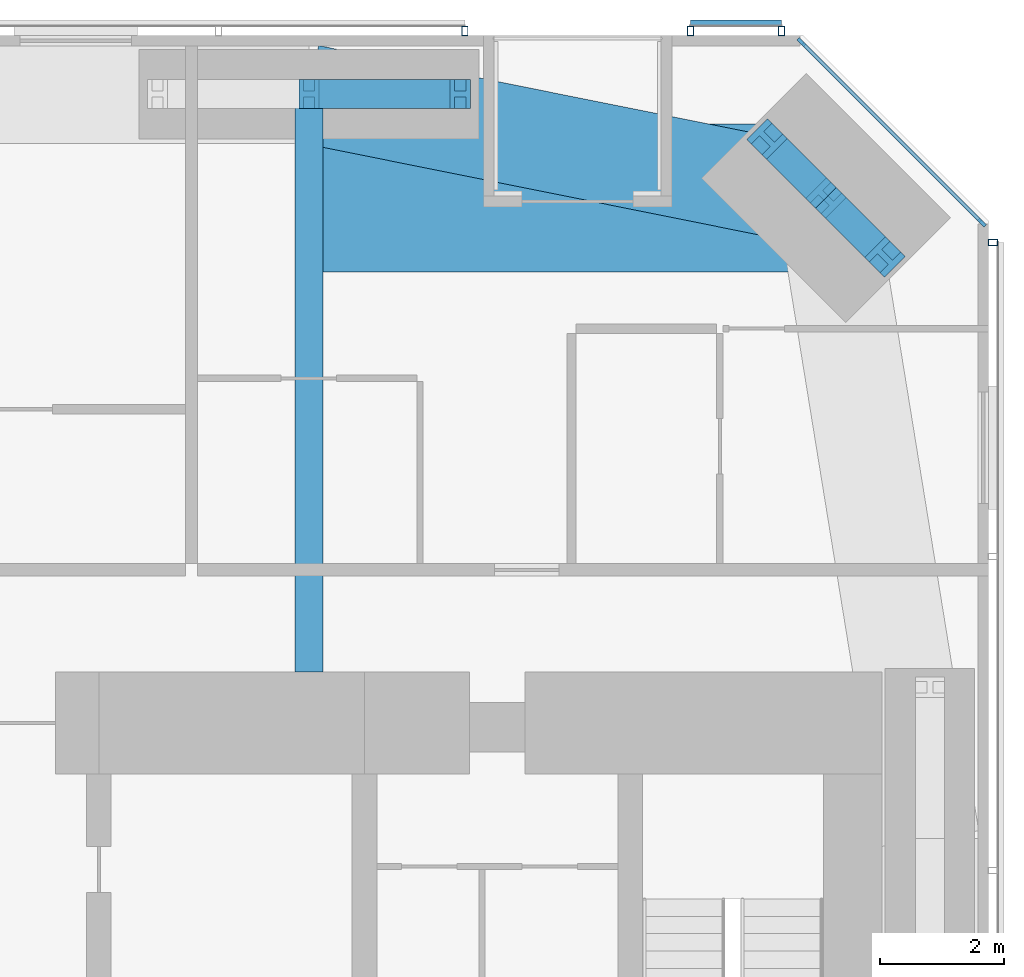
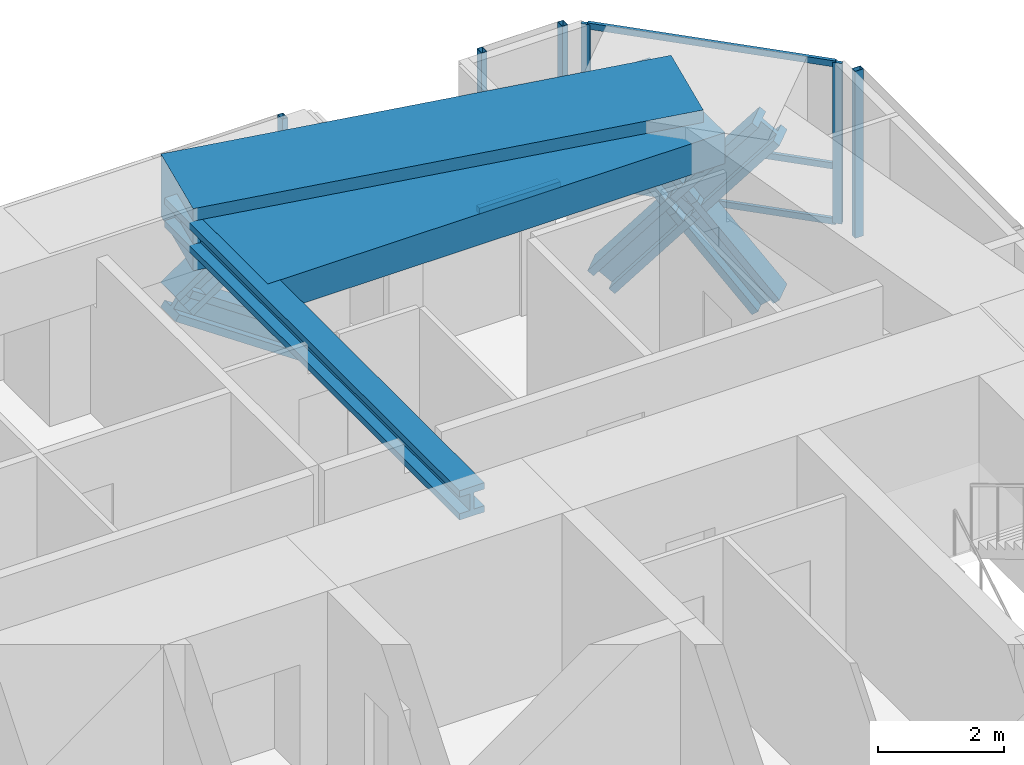
# One storey, part 15 of 24: 16 members, 3 beams, 4 elements without a shape of their own.
"""IFC4 building model written with IfcOpenShell, lengths in metres."""

from ifc_helpers import new_model, si_unit, direction, frame, origin, origin_2d, place, context, subcontext, project, spatial, rectangle, hollow_rectangle, i_section, extrude, material, material_profile, profile_set, type_object, element, aggregate, save


model = new_model("IFC4")

# Units and contexts
model_context = context("Model", 3, precision=1e-05, world=origin(), true_north=direction((0.0, 1.0)))
body_context = subcontext(model_context, "Body", "Model", "MODEL_VIEW")
ifc_project = project(units=[si_unit("LENGTHUNIT", "METRE"), si_unit("AREAUNIT", "SQUARE_METRE"), si_unit("VOLUMEUNIT", "CUBIC_METRE"), si_unit("PLANEANGLEUNIT", "RADIAN"), si_unit("MASSUNIT", "GRAM", prefix="KILO")], contexts=[model_context])

# Site, building, storey
site_placement = place(None, origin())
site = spatial("IfcSite", under=ifc_project, at=site_placement, CompositionType="ELEMENT")
building_placement = place(site_placement, origin())
building = spatial("IfcBuilding", under=site, at=building_placement, Name="Jalousie Tower", CompositionType="ELEMENT")
storey_placement = place(building_placement, frame((0.0, 0.0, 61.199951171875)))
storey = spatial("IfcBuildingStorey", under=building, at=storey_placement, Name="L16", CompositionType="ELEMENT", Elevation=61.199951171875)

# Curtain wall, members
ifc_material_1 = material(Name="Aluminium curtain wall", Category="aluminium")
curtain_wall_type_1 = type_object("IfcCurtainWallType", Name="CORNER WINDOW WALL", PredefinedType="USERDEFINED", material=ifc_material_1)
curtain_wall_1_placement = place(storey_placement, origin())
curtain_wall_1 = element("IfcCurtainWall", 1, at=curtain_wall_1_placement, inside=storey, type_object=curtain_wall_type_1, Name="Corner Window Wall L16 4", ObjectType="CORNER WINDOW WALL", PredefinedType="USERDEFINED")
ifc_material_2 = material(Name="Aluminium mullion", Category="aluminium")
ifc_material_profile_1 = material_profile(ifc_material_2, rectangle(XDim=0.06005859375, YDim=0.14990234375, at=origin_2d()), Name="MULLION 60x150")
ifc_profile_set_1 = profile_set([ifc_material_profile_1], Name="Aluminium mullion")
member_type_1 = type_object("IfcMemberType", Name="CORNER WINDOW WALL MULLION", PredefinedType="MULLION", material=ifc_profile_set_1)
member_1_placement = place(storey_placement, frame((45.891357421875, 34.969970703125, 0.0), z_axis=(0.0, 0.0, 1.0), x_axis=(-0.707106781187, -0.707106781187, 0.0)))
member_1 = element("IfcMember", 2, at=member_1_placement, type_object=member_type_1, Name="CW-C mullion 1", PredefinedType="MULLION", context=body_context, shape_type="SweptSolid", body=[
    extrude(rectangle(XDim=0.06005859375, YDim=0.14990234375, at=origin_2d()), origin(), (0.0, 0.0, 1.0), 3.110107421875),
])
member_2_placement = place(storey_placement, frame((42.969970703125, 37.891357421875, 0.0), z_axis=(0.0, 0.0, 1.0), x_axis=(-0.707106781187, -0.707106781187, 0.0)))
member_2 = element("IfcMember", 3, at=member_2_placement, type_object=member_type_1, Name="CW-C mullion 2", PredefinedType="MULLION", context=body_context, shape_type="SweptSolid", body=[
    extrude(rectangle(XDim=0.06005859375, YDim=0.14990234375, at=origin_2d()), origin(), (0.0, 0.0, 1.0), 3.110107421875),
])
ifc_material_3 = material(Name="Aluminium transom", Category="aluminium")
ifc_material_profile_2 = material_profile(ifc_material_3, rectangle(XDim=0.06005859375, YDim=0.1201171875, at=origin_2d()), Name="TRANSOM 60x120")
ifc_profile_set_2 = profile_set([ifc_material_profile_2], Name="Aluminium transom")
member_type_2 = type_object("IfcMemberType", Name="CORNER WINDOW WALL TRANSOM", PredefinedType="USERDEFINED", material=ifc_profile_set_2)
member_3_placement = place(storey_placement, frame((45.8701171875, 34.9912109375, 0.030029296875), z_axis=(-0.707106781187, 0.707106781187, 0.0), x_axis=(-0.707106781187, -0.707106781187, 0.0)))
member_3 = element("IfcMember", 4, at=member_3_placement, type_object=member_type_2, Name="CW-C transom 1.1", ObjectType="TRANSOM", PredefinedType="USERDEFINED", context=body_context, shape_type="SweptSolid", body=[
    extrude(rectangle(XDim=0.06005859375, YDim=0.1201171875, at=origin_2d()), origin(), (0.0, 0.0, 1.0), 4.0712890625),
])
member_4_placement = place(storey_placement, frame((45.8701171875, 34.9912109375, 1.10009765625), z_axis=(-0.707106781187, 0.707106781187, 0.0), x_axis=(-0.707106781187, -0.707106781187, 0.0)))
member_4 = element("IfcMember", 5, at=member_4_placement, type_object=member_type_2, Name="CW-C transom 1.2", ObjectType="TRANSOM", PredefinedType="USERDEFINED", context=body_context, shape_type="SweptSolid", body=[
    extrude(rectangle(XDim=0.06005859375, YDim=0.1201171875, at=origin_2d()), origin(), (0.0, 0.0, 1.0), 4.0712890625),
])
member_5_placement = place(storey_placement, frame((45.8701171875, 34.9912109375, 3.080078125), z_axis=(-0.707106781187, 0.707106781187, 0.0), x_axis=(-0.707106781187, -0.707106781187, 0.0)))
member_5 = element("IfcMember", 6, at=member_5_placement, type_object=member_type_2, Name="CW-C transom 1.3", ObjectType="TRANSOM", PredefinedType="USERDEFINED", context=body_context, shape_type="SweptSolid", body=[
    extrude(rectangle(XDim=0.06005859375, YDim=0.1201171875, at=origin_2d()), origin(), (0.0, 0.0, 1.0), 4.0712890625),
])
aggregate(curtain_wall_1, [member_1, member_2, member_3, member_4, member_5])

# Beam
ifc_material_4 = material(Name="Steel ASTM A992 Grade 50", Category="steel")
ifc_material_profile_3 = material_profile(ifc_material_4, i_section(OverallWidth=0.45458984375, OverallDepth=0.569091796875, WebThickness=0.077880859375, FlangeThickness=0.124755859375, at=origin_2d()), Name="W14X730")
ifc_profile_set_3 = profile_set([ifc_material_profile_3], Name="Steel ASTM A992 Grade 50")
beam_type_1 = type_object("IfcBeamType", Name="LEAN COLLECTOR W14X730", PredefinedType="BEAM", material=ifc_profile_set_3)
beam_1_placement = place(storey_placement, frame((35.0, 37.050048828125, 2.825439453125), z_axis=(0.0, -1.0, 0.0), x_axis=(1.0, 0.0, 0.0)))
element("IfcBeam", 7, at=beam_1_placement, inside=storey, type_object=beam_type_1, Name="Lean collector under L17", PredefinedType="BEAM", context=body_context, shape_type="SweptSolid", body=[
    extrude(i_section(OverallWidth=0.45458984375, OverallDepth=0.569091796875, WebThickness=0.077880859375, FlangeThickness=0.124755859375, at=origin_2d()), origin(), (0.0, 0.0, 1.0), 9.35009765625),
])

# Members
ifc_material_5 = material(Name="Steel ASTM A992 Grade 50", Category="steel")
ifc_material_profile_4 = material_profile(ifc_material_5, i_section(OverallWidth=0.472412109375, OverallDepth=0.5791015625, WebThickness=0.094970703125, FlangeThickness=0.1298828125, at=origin_2d()), Name="W14X808")
ifc_profile_set_4 = profile_set([ifc_material_profile_4], Name="Steel ASTM A992 Grade 50")
member_type_3 = type_object("IfcMemberType", Name="PERIMETER BRACE W14X808", PredefinedType="BRACE", material=ifc_profile_set_4)
member_6_placement = place(storey_placement, frame((44.3232421875, 34.4140625, -0.599853515625), z_axis=(-0.443757535686, 0.443757535686, 0.778561814529), x_axis=(-0.707106781187, -0.707106781187, 0.0)))
element("IfcMember", 8, at=member_6_placement, inside=storey, type_object=member_type_3, Name="Perimeter brace 08 L16 part 1", PredefinedType="BRACE", context=body_context, shape_type="SweptSolid", body=[
    extrude(i_section(OverallWidth=0.472412109375, OverallDepth=0.5791015625, WebThickness=0.094970703125, FlangeThickness=0.1298828125, at=origin_2d()), origin(), (0.0, 0.0, 1.0), 2.151123046875),
])
member_7_placement = place(storey_placement, frame((43.36865234375, 35.36865234375, 1.074951171875), z_axis=(-0.443718327034, 0.443718327034, 0.778606506849), x_axis=(-0.707106781187, -0.707106781187, 0.0)))
element("IfcMember", 9, at=member_7_placement, inside=storey, type_object=member_type_3, Name="Perimeter brace 08 L16 part 2", PredefinedType="BRACE", context=body_context, shape_type="SweptSolid", body=[
    extrude(i_section(OverallWidth=0.472412109375, OverallDepth=0.5791015625, WebThickness=0.094970703125, FlangeThickness=0.1298828125, at=origin_2d()), origin(), (0.0, 0.0, 1.0), 2.1513671875),
])
member_8_placement = place(storey_placement, frame((42.4140625, 36.3232421875, -0.599853515625), z_axis=(0.443757535686, -0.443757535686, 0.778561814529), x_axis=(0.707106781187, 0.707106781187, 0.0)))
element("IfcMember", 10, at=member_8_placement, inside=storey, type_object=member_type_3, Name="Perimeter brace 08 L16 part 3", PredefinedType="BRACE", context=body_context, shape_type="SweptSolid", body=[
    extrude(i_section(OverallWidth=0.472412109375, OverallDepth=0.5791015625, WebThickness=0.094970703125, FlangeThickness=0.1298828125, at=origin_2d()), origin(), (0.0, 0.0, 1.0), 2.151123046875),
])
member_9_placement = place(storey_placement, frame((43.36865234375, 35.36865234375, 1.074951171875), z_axis=(0.443718327034, -0.443718327034, 0.778606506849), x_axis=(0.707106781187, 0.707106781187, 0.0)))
element("IfcMember", 11, at=member_9_placement, inside=storey, type_object=member_type_3, Name="Perimeter brace 08 L16 part 4", PredefinedType="BRACE", context=body_context, shape_type="SweptSolid", body=[
    extrude(i_section(OverallWidth=0.472412109375, OverallDepth=0.5791015625, WebThickness=0.094970703125, FlangeThickness=0.1298828125, at=origin_2d()), origin(), (0.0, 0.0, 1.0), 2.1513671875),
])
for number, where, z_axis, x_axis, name in (
    (12, (35.0, 37.050048828125, 1.074951171875), (0.825500916831, 0.0, 0.564400776321), (0.0, 1.0, 0.0), "Perimeter brace 09 L16 part 2"),
    (13, (37.449951171875, 37.050048828125, -0.599853515625), (-0.825539243753, 0.0, 0.564344714713), (0.0, -1.0, 0.0), "Perimeter brace 09 L16 part 3"),
):
    element("IfcMember", number, at=place(storey_placement, frame(where, z_axis=z_axis, x_axis=x_axis)), inside=storey, type_object=member_type_3, Name=name, PredefinedType="BRACE", context=body_context, shape_type="SweptSolid", body=[
        extrude(i_section(OverallWidth=0.472412109375, OverallDepth=0.5791015625, WebThickness=0.094970703125, FlangeThickness=0.1298828125, at=origin_2d()), origin(), (0.0, 0.0, 1.0), 2.9677734375),
    ])

# Beams
ifc_material_6 = material(Name="Concrete f'c 40 MPa", Category="concrete")
ifc_material_profile_5 = material_profile(ifc_material_6, rectangle(XDim=1.60009765625, YDim=1.199951171875, at=origin_2d()), Name="RC 1600x1200")
ifc_profile_set_5 = profile_set([ifc_material_profile_5], Name="Concrete f'c 40 MPa")
beam_type_2 = type_object("IfcBeamType", Name="RC BEAM 1600x1200", PredefinedType="BEAM", material=ifc_profile_set_5)
beam_2_placement = place(storey_placement, frame((43.36865234375, 35.36865234375, 2.75), z_axis=(-0.980407585444, 0.196979609107, 0.0), x_axis=(-0.196979609107, -0.980407585444, 0.0)))
element("IfcBeam", 14, at=beam_2_placement, inside=storey, type_object=beam_type_2, Name="Edge band beam 08-09 under L17", PredefinedType="BEAM", context=body_context, shape_type="SweptSolid", body=[
    extrude(rectangle(XDim=1.60009765625, YDim=1.199951171875, at=origin_2d()), origin(), (0.0, 0.0, 1.0), 8.535888671875),
])
ifc_material_7 = material(Name="Concrete f'c 40 MPa", Category="concrete")
ifc_material_profile_6 = material_profile(ifc_material_7, rectangle(XDim=2.39990234375, YDim=0.60009765625, at=origin_2d()), Name="RC 2400x600")
ifc_profile_set_6 = profile_set([ifc_material_profile_6], Name="Concrete f'c 40 MPa")
beam_type_3 = type_object("IfcBeamType", Name="RC BEAM 2400x600", PredefinedType="BEAM", material=ifc_profile_set_6)
beam_3_placement = place(storey_placement, frame((43.36865234375, 35.36865234375, 2.81005859375), z_axis=(-1.0, 0.0, 0.0), x_axis=(0.0, -1.0, 0.0)))
element("IfcBeam", 15, at=beam_3_placement, inside=storey, type_object=beam_type_3, Name="Floor band beam under L17", PredefinedType="BEAM", context=body_context, shape_type="SweptSolid", body=[
    extrude(rectangle(XDim=2.39990234375, YDim=0.60009765625, at=origin_2d()), origin(), (0.0, 0.0, 1.0), 8.36865234375),
])

# Curtain wall, member
ifc_material_8 = material(Name="Perforated aluminium sheet", Category="aluminium")
curtain_wall_type_2 = type_object("IfcCurtainWallType", Name="SOLAR SCREEN SS-1", PredefinedType="USERDEFINED", material=ifc_material_8)
curtain_wall_2_placement = place(storey_placement, origin())
curtain_wall_2 = element("IfcCurtainWall", 16, at=curtain_wall_2_placement, inside=storey, type_object=curtain_wall_type_2, Name="Solar screen L16", ObjectType="SOLAR SCREEN SS-1", PredefinedType="USERDEFINED")
ifc_material_9 = material(Name="Steel ASTM A500 Grade C", Category="steel")
ifc_material_profile_7 = material_profile(ifc_material_9, hollow_rectangle(XDim=0.1015625, YDim=0.15234375, WallThickness=0.00634765625, at=origin_2d()), Name="HSS6X4X1/4")
ifc_profile_set_7 = profile_set([ifc_material_profile_7], Name="Steel ASTM A500 Grade C")
member_type_4 = type_object("IfcMemberType", Name="SOLAR SCREEN SS-1 MULLION", PredefinedType="MULLION", material=ifc_profile_set_7)
member_10_placement = place(storey_placement, frame((46.0712890625, 34.648681640625, -0.119873046875), z_axis=(0.0, 0.0, 1.0), x_axis=(0.0, 1.0, 0.0)))
member_10 = element("IfcMember", 17, at=member_10_placement, type_object=member_type_4, Name="SS1 post 4", PredefinedType="MULLION", context=body_context, shape_type="SweptSolid", body=[
    extrude(hollow_rectangle(XDim=0.1015625, YDim=0.15234375, WallThickness=0.00634765625, at=origin_2d()), origin(), (0.0, 0.0, 1.0), 3.22998046875),
])
aggregate(curtain_wall_2, [member_10])

# Curtain wall, members
curtain_wall_3_placement = place(storey_placement, origin())
curtain_wall_3 = element("IfcCurtainWall", 18, at=curtain_wall_3_placement, inside=storey, type_object=curtain_wall_type_2, Name="Solar screen L16", ObjectType="SOLAR SCREEN SS-1", PredefinedType="USERDEFINED")
member_11_placement = place(storey_placement, frame((42.648681640625, 38.0712890625, -0.119873046875), z_axis=(0.0, 0.0, 1.0), x_axis=(-1.0, 0.0, 0.0)))
member_11 = element("IfcMember", 19, at=member_11_placement, type_object=member_type_4, Name="SS1 post 1", PredefinedType="MULLION", context=body_context, shape_type="SweptSolid", body=[
    extrude(hollow_rectangle(XDim=0.1015625, YDim=0.15234375, WallThickness=0.00634765625, at=origin_2d()), origin(), (0.0, 0.0, 1.0), 3.22998046875),
])
member_12_placement = place(storey_placement, frame((41.173583984375, 38.0712890625, -0.119873046875), z_axis=(0.0, 0.0, 1.0), x_axis=(-1.0, 0.0, 0.0)))
member_12 = element("IfcMember", 20, at=member_12_placement, type_object=member_type_4, Name="SS1 post 2", PredefinedType="MULLION", context=body_context, shape_type="SweptSolid", body=[
    extrude(hollow_rectangle(XDim=0.1015625, YDim=0.15234375, WallThickness=0.00634765625, at=origin_2d()), origin(), (0.0, 0.0, 1.0), 3.22998046875),
])

# Curtain wall, member
curtain_wall_4_placement = place(storey_placement, origin())
curtain_wall_4 = element("IfcCurtainWall", 21, at=curtain_wall_4_placement, inside=storey, type_object=curtain_wall_type_2, Name="Solar screen L16", ObjectType="SOLAR SCREEN SS-1", PredefinedType="USERDEFINED")
member_13_placement = place(storey_placement, frame((37.523681640625, 38.0712890625, -0.119873046875), z_axis=(0.0, 0.0, 1.0), x_axis=(-1.0, 0.0, 0.0)))
member_13 = element("IfcMember", 22, at=member_13_placement, type_object=member_type_4, Name="SS1 post 1", PredefinedType="MULLION", context=body_context, shape_type="SweptSolid", body=[
    extrude(hollow_rectangle(XDim=0.1015625, YDim=0.15234375, WallThickness=0.00634765625, at=origin_2d()), origin(), (0.0, 0.0, 1.0), 3.22998046875),
])
aggregate(curtain_wall_4, [member_13])

# Member
ifc_material_10 = material(Name="Extruded aluminium screen rail", Category="aluminium")
ifc_material_profile_8 = material_profile(ifc_material_10, rectangle(XDim=0.1015625, YDim=0.1201171875, at=origin_2d()), Name="RAIL 102x120")
ifc_profile_set_8 = profile_set([ifc_material_profile_8], Name="Extruded aluminium screen rail")
member_type_5 = type_object("IfcMemberType", Name="SOLAR SCREEN SS-1 TRANSOM", PredefinedType="USERDEFINED", material=ifc_profile_set_8)
member_14_placement = place(storey_placement, frame((42.648681640625, 38.1982421875, -0.06005859375), z_axis=(-1.0, 0.0, 0.0), x_axis=(0.0, -1.0, 0.0)))
member_14 = element("IfcMember", 23, at=member_14_placement, type_object=member_type_5, Name="SS1 rail", ObjectType="TRANSOM", PredefinedType="USERDEFINED", context=body_context, shape_type="SweptSolid", body=[
    extrude(rectangle(XDim=0.1015625, YDim=0.1201171875, at=origin_2d()), origin(), (0.0, 0.0, 1.0), 1.47509765625),
])

aggregate(curtain_wall_3, [member_11, member_12, member_14])

save(model, "model.ifc")
